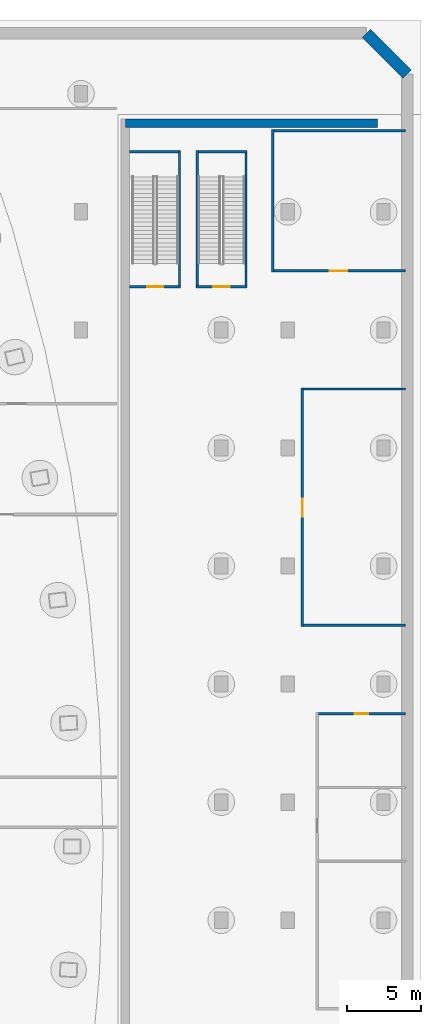
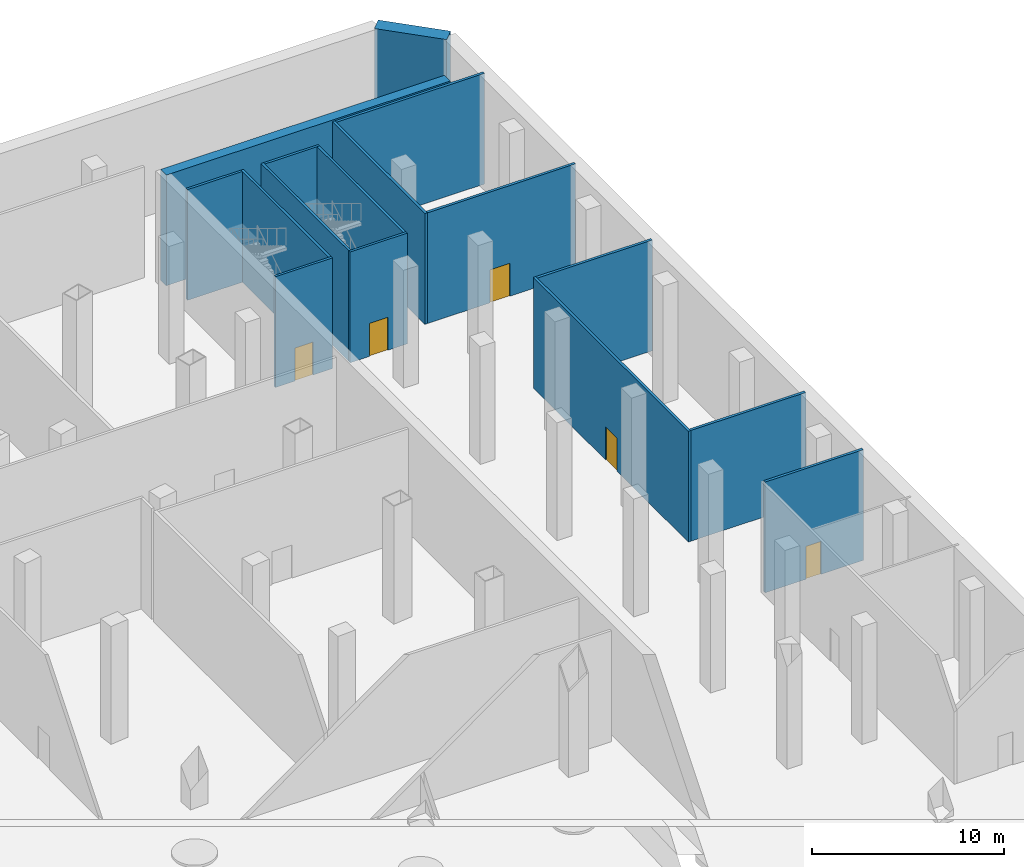
# One storey, part 13 of 19: 16 walls, 5 doors, 5 openings.
"""IFC4 building model written with IfcOpenShell, lengths in metres."""

import ifcopenshell
import ifcopenshell.guid

model = None  # the IFC model being written
_history = None  # IfcOwnerHistory: only IFC2X3 demands one
_inside = {}  # id of a spatial element -> (the spatial element, [elements in it])
_under = {}  # id of a project, library or spatial element -> (it, [spatial elements below it])
_declared = {}  # id of a project -> (the project, [libraries it declares])
_typed = {}  # id of a type object -> (the type object, [elements of that type])
_made_of = {}  # id of a material, layer set ... -> (it, [elements and type objects made of it])


def new_model(schema):
    """Start an empty IFC model of exactly this schema.

    Asked for "IFC4X3", IfcOpenShell would pick the latest addendum, in which some entities
    have other attributes; the version numbers below select the first issue.
    IFC2X3 requires an IfcOwnerHistory on every rooted entity: one is made here for all.
    """
    global model, _history
    if schema == "IFC4X3":
        model = ifcopenshell.file(schema_version=(4, 3, 0, 0))
    else:
        model = ifcopenshell.file(schema=schema)
    _inside.clear()
    _under.clear()
    _declared.clear()
    _typed.clear()
    _made_of.clear()
    _history = None
    if model.schema == "IFC2X3":
        org = make("IfcOrganization", Name="unknown")
        user = make(
            "IfcPersonAndOrganization",
            ThePerson=make("IfcPerson", FamilyName="unknown"),
            TheOrganization=org,
        )
        app = make(
            "IfcApplication",
            ApplicationDeveloper=org,
            Version="unknown",
            ApplicationFullName="unknown",
            ApplicationIdentifier="unknown",
        )
        _history = make(
            "IfcOwnerHistory",
            OwningUser=user,
            OwningApplication=app,
            ChangeAction="ADDED",
            CreationDate=0,
        )
    return model


def make(cls, **values):
    """One entity of the class cls with the attributes given. An attribute that is None is left unset."""
    return model.create_entity(
        cls, **{name: value for name, value in values.items() if value is not None}
    )


def rooted(cls, **values):
    """An entity with a GlobalId (a new one), such as an element, a storey or a relation."""
    return make(cls, GlobalId=ifcopenshell.guid.new(), OwnerHistory=_history, **values)


def si_unit(unit_type, name, prefix=None):
    """IfcSIUnit, for example si_unit("LENGTHUNIT", "METRE", prefix="MILLI")."""
    return make("IfcSIUnit", UnitType=unit_type, Prefix=prefix, Name=name)


def assignment(units):
    """IfcUnitAssignment: the units of a project."""
    return None if units is None else make("IfcUnitAssignment", Units=units)


def point(xyz):
    """IfcCartesianPoint."""
    return None if xyz is None else make("IfcCartesianPoint", Coordinates=xyz)


def direction(xyz):
    """IfcDirection."""
    return None if xyz is None else make("IfcDirection", DirectionRatios=xyz)


def frame(location, z_axis=None, x_axis=None):
    """IfcAxis2Placement3D, a coordinate frame: its origin and axes. An axis left out is left unset."""
    return make(
        "IfcAxis2Placement3D",
        Location=point(location),
        Axis=direction(z_axis),
        RefDirection=direction(x_axis),
    )


def frame_2d(location, x_axis=None):
    """IfcAxis2Placement2D, a coordinate frame in the plane: its origin and x axis."""
    return make(
        "IfcAxis2Placement2D", Location=point(location), RefDirection=direction(x_axis)
    )


def origin():
    """The frame at (0, 0, 0) with its axes left unset."""
    return frame((0.0, 0.0, 0.0))


def place(relative_to, where):
    """IfcLocalPlacement: puts the frame where relative to a parent placement (None: the world)."""
    return make(
        "IfcLocalPlacement", PlacementRelTo=relative_to, RelativePlacement=where
    )


def context(
    kind, dimensions, precision=None, world=None, true_north=None, identifier=None
):
    """IfcGeometricRepresentationContext, for example the 3D "Model" context."""
    return make(
        "IfcGeometricRepresentationContext",
        ContextIdentifier=identifier,
        ContextType=kind,
        CoordinateSpaceDimension=dimensions,
        Precision=precision,
        WorldCoordinateSystem=world,
        TrueNorth=true_north,
    )


def subcontext(parent, identifier, kind, view, scale=None):
    """IfcGeometricRepresentationSubContext, for example "Body" below "Model"."""
    return make(
        "IfcGeometricRepresentationSubContext",
        ContextIdentifier=identifier,
        ContextType=kind,
        ParentContext=parent,
        TargetScale=scale,
        TargetView=view,
    )


def project(units=None, contexts=None):
    """IfcProject with its units and contexts."""
    return rooted(
        "IfcProject",
        Name="project",
        RepresentationContexts=contexts,
        UnitsInContext=assignment(units),
    )


def spatial(cls, under=None, at=None, **own):
    """A site, building, storey or space (cls), placed at a placement, below another one or the project."""
    s = rooted(cls, ObjectPlacement=at, **own)
    if under is not None:
        _under.setdefault(under.id(), (under, []))[1].append(s)
    return s


def profile(cls, at=None, kind="AREA", **sizes):
    """A parametric profile (cls). Its sizes go by their IFC names, for example OverallWidth=200.0."""
    return make(cls, ProfileType=kind, Position=at, **sizes)


def rectangle(**sizes):
    """IfcRectangleProfileDef."""
    return profile("IfcRectangleProfileDef", **sizes)


def extrude(swept, where, along, depth):
    """IfcExtrudedAreaSolid: the profile swept, set in the frame where, extruded along a direction by depth."""
    return make(
        "IfcExtrudedAreaSolid",
        SweptArea=swept,
        Position=where,
        ExtrudedDirection=direction(along),
        Depth=depth,
    )


def shape(context_of_items, identifier, shape_type, items):
    """IfcShapeRepresentation: the items that make up one representation, for example the "Body"."""
    return make(
        "IfcShapeRepresentation",
        ContextOfItems=context_of_items,
        RepresentationIdentifier=identifier,
        RepresentationType=shape_type,
        Items=items,
    )


def material(Name=None, Category=None):
    """IfcMaterial."""
    return make("IfcMaterial", Name=Name, Category=Category)


def layer(
    of_material, thickness, ventilated=None, Name=None, Category=None, Priority=None
):
    """IfcMaterialLayer: one layer of a wall or slab, of a material (None: an air gap)."""
    return make(
        "IfcMaterialLayer",
        Material=of_material,
        LayerThickness=thickness,
        IsVentilated=ventilated,
        Name=Name,
        Category=Category,
        Priority=Priority,
    )


def layer_set(layers, Name=None):
    """IfcMaterialLayerSet."""
    return make("IfcMaterialLayerSet", MaterialLayers=layers, LayerSetName=Name)


def made_of(thing, what):
    """Note that an element or type object is made of a material, layer set ...; save() writes the relation."""
    if what is not None:
        _made_of.setdefault(what.id(), (what, []))[1].append(thing)
    return thing


def type_object(cls, material=None, **own):
    """A type object (cls), such as IfcWallType, which elements share."""
    return made_of(rooted(cls, **own), material)


def element(
    cls,
    number,
    at=None,
    inside=None,
    cuts=None,
    type_object=None,
    material=None,
    context=None,
    identifier="Body",
    shape_type=None,
    held_by="IfcProductDefinitionShape",
    body=None,
    shapes=None,
    **own,
):
    """One element of the class cls, such as IfcWall. Its Tag is "e" and its number.

    at: its placement. inside: the storey or other place that contains it. cuts: it is an
    opening in that element (IfcRelVoidsElement). A single representation is given by context,
    identifier, shape_type and body (its items); several are given by shapes. held_by: the class
    of the entity that holds the representations. save() writes the other relations.
    """
    e = rooted(cls, Tag="e%d" % number, ObjectPlacement=at, **own)
    if body is not None:
        shapes = [shape(context, identifier, shape_type, body)]
    if shapes is not None:
        e.Representation = make(held_by, Representations=shapes)
    if inside is not None:
        _inside.setdefault(inside.id(), (inside, []))[1].append(e)
    if cuts is not None:
        rooted(
            "IfcRelVoidsElement", RelatingBuildingElement=cuts, RelatedOpeningElement=e
        )
    if type_object is not None:
        _typed.setdefault(type_object.id(), (type_object, []))[1].append(e)
    return made_of(e, material)


def fill(opening, filler):
    """IfcRelFillsElement: the door or window that sits in an opening."""
    return rooted(
        "IfcRelFillsElement",
        RelatingOpeningElement=opening,
        RelatedBuildingElement=filler,
    )


def aggregate(whole, parts):
    """IfcRelAggregates: a whole, such as a stair, and the parts it consists of."""
    return rooted("IfcRelAggregates", RelatingObject=whole, RelatedObjects=parts)


def save(model, path):
    """Write the relations noted so far, then the file.

    IfcRelAggregates (storeys below a building ...), IfcRelContainedInSpatialStructure (elements
    in a storey), IfcRelDefinesByType, IfcRelAssociatesMaterial and IfcRelDeclares: one each for
    every whole, place, type object, material and project.
    """
    for whole, parts in _under.values():
        aggregate(whole, parts)
    for where, things in _inside.values():
        rooted(
            "IfcRelContainedInSpatialStructure",
            RelatedElements=things,
            RelatingStructure=where,
        )
    for kind, things in _typed.values():
        rooted("IfcRelDefinesByType", RelatedObjects=things, RelatingType=kind)
    for what, things in _made_of.values():
        rooted("IfcRelAssociatesMaterial", RelatedObjects=things, RelatingMaterial=what)
    for by, libraries in _declared.values():
        rooted("IfcRelDeclares", RelatingContext=by, RelatedDefinitions=libraries)
    model.write(path)


model = new_model("IFC4")

# Units and contexts
model_context = context("Model", 3, precision=1e-05, world=origin(), true_north=direction((0.0, 1.0)))
body_context = subcontext(model_context, "Body", "Model", "MODEL_VIEW")
ifc_project = project(units=[si_unit("LENGTHUNIT", "METRE"), si_unit("AREAUNIT", "SQUARE_METRE"), si_unit("VOLUMEUNIT", "CUBIC_METRE"), si_unit("PLANEANGLEUNIT", "RADIAN"), si_unit("MASSUNIT", "GRAM", prefix="KILO")], contexts=[model_context])

# Site, building, storey
site_placement = place(None, origin())
site = spatial("IfcSite", under=ifc_project, at=site_placement, CompositionType="ELEMENT")
building_placement = place(site_placement, origin())
building = spatial("IfcBuilding", under=site, at=building_placement, Name="Alderwake Tower", CompositionType="ELEMENT")
storey_placement = place(building_placement, frame((0.0, 0.0, -14.0)))
storey = spatial("IfcBuildingStorey", under=building, at=storey_placement, Name="B2", CompositionType="ELEMENT", Elevation=-14.0)

# Walls
ifc_material_1 = material(Name="Concrete C50/60", Category="concrete")
ifc_layer_1 = layer(ifc_material_1, 0.800048828125)
ifc_layer_set_1 = layer_set([ifc_layer_1], Name="Basement retaining wall 800")
wall_type_1 = type_object("IfcWallType", Name="Basement retaining wall 800", PredefinedType="SOLIDWALL", material=ifc_layer_set_1)
wall_1_placement = place(storey_placement, frame((83.334228515625, 116.10009765625, -0.300048828125), z_axis=(0.0, 0.0, 1.0), x_axis=(0.707106781187, -0.707106781187, 0.0)))
element("IfcWall", 1, at=wall_1_placement, inside=storey, type_object=wall_type_1, Name="Retaining wall 5", PredefinedType="SOLIDWALL", context=body_context, shape_type="SweptSolid", body=[
    extrude(rectangle(XDim=3.91162109375, YDim=0.800048828125, at=frame_2d((1.955810546875, 0.0))), origin(), (0.0, 0.0, 1.0), 7.35009765625),
])
ifc_material_2 = material(Name="Gypsum board on metal studs, rated")
ifc_layer_2 = layer(ifc_material_2, 0.159912109375)
ifc_layer_set_2 = layer_set([ifc_layer_2], Name="Corridor wall 160")
wall_type_2 = type_object("IfcWallType", Name="Corridor wall 160", PredefinedType="PARTITIONING", material=ifc_layer_set_2)
wall_2_placement = place(storey_placement, frame((77.0009765625, 99.9189453125, 0.0), z_axis=(0.0, 0.0, 1.0), x_axis=(0.0, 1.0, 0.0)))
element("IfcWall", 2, at=wall_2_placement, inside=storey, type_object=wall_type_2, Name="WL/B2/W61", PredefinedType="PARTITIONING", context=body_context, shape_type="SweptSolid", body=[
    extrude(rectangle(XDim=9.6611328125, YDim=0.159912109375, at=frame_2d((4.83056640625, 0.0))), origin(), (0.0, 0.0, 1.0), 7.050048828125),
])
wall_3_placement = place(storey_placement, frame((77.0810546875, 109.5, 0.0), z_axis=(0.0, 0.0, 1.0), x_axis=(1.0, 0.0, 0.0)))
element("IfcWall", 3, at=wall_3_placement, inside=storey, type_object=wall_type_2, Name="WL/B2/W62", PredefinedType="PARTITIONING", context=body_context, shape_type="SweptSolid", body=[
    extrude(rectangle(XDim=8.919921875, YDim=0.159912109375, at=frame_2d((4.4599609375, 0.0))), origin(), (0.0, 0.0, 1.0), 7.050048828125),
])

# Wall, opening, door
wall_4_placement = place(storey_placement, frame((78.9990234375, 75.9189453125, 0.0), z_axis=(0.0, 0.0, 1.0), x_axis=(0.0, 1.0, 0.0)))
wall_4 = element("IfcWall", 4, at=wall_4_placement, inside=storey, type_object=wall_type_2, Name="WL/B2/W65", PredefinedType="PARTITIONING", context=body_context, shape_type="SweptSolid", body=[
    extrude(rectangle(XDim=16.162109375, YDim=0.159912109375, at=frame_2d((8.0810546875, 0.0))), origin(), (0.0, 0.0, 1.0), 7.050048828125),
])
opening_1_placement = place(wall_4_placement, frame((7.430908203125, 0.0, 0.0)))
opening_1 = element("IfcOpeningElement", 5, at=opening_1_placement, cuts=wall_4, Name="Opening B2-13", PredefinedType="OPENING", context=body_context, shape_type="SweptSolid", body=[
    extrude(rectangle(XDim=1.199951171875, YDim=2.10009765625, at=frame_2d((0.60009765625, 1.050048828125))), frame((0.0, 0.08984375, 0.0), z_axis=(0.0, -1.0, 0.0), x_axis=(1.0, 0.0, 0.0)), (0.0, 0.0, 1.0), 0.179931640625),
])
ifc_material_3 = material(Name="Steel door leaf in steel frame", Category="steel")
door_type_1 = type_object("IfcDoorType", Name="Plant room door 1200 steel", OperationType="SINGLE_SWING_LEFT", PredefinedType="DOOR", material=ifc_material_3)
door_1_placement = place(opening_1_placement, origin())
door_1 = element("IfcDoor", 6, at=door_1_placement, inside=storey, type_object=door_type_1, Name="DR/B2/13", OperationType="SINGLE_SWING_LEFT", OverallHeight=2.10009765625, OverallWidth=1.199951171875, PredefinedType="DOOR", context=body_context, shape_type="SweptSolid", body=[
    extrude(rectangle(XDim=1.199951171875, YDim=2.10009765625, at=frame_2d((0.60009765625, 1.050048828125))), frame((0.0, 0.02490234375, 0.0), z_axis=(0.0, -1.0, 0.0), x_axis=(1.0, 0.0, 0.0)), (0.0, 0.0, 1.0), 0.050048828125),
])
fill(opening_1, door_1)

# Wall
wall_5_placement = place(storey_placement, frame((79.0791015625, 92.0009765625, 0.0), z_axis=(0.0, 0.0, 1.0), x_axis=(1.0, 0.0, 0.0)))
element("IfcWall", 7, at=wall_5_placement, inside=storey, type_object=wall_type_2, Name="WL/B2/W66", PredefinedType="PARTITIONING", context=body_context, shape_type="SweptSolid", body=[
    extrude(rectangle(XDim=6.921875, YDim=0.159912109375, at=frame_2d((3.4609375, 0.0))), origin(), (0.0, 0.0, 1.0), 7.050048828125),
])

# Wall, opening, door
wall_6_placement = place(storey_placement, frame((80.0810546875, 69.9990234375, 0.0), z_axis=(0.0, 0.0, 1.0), x_axis=(1.0, 0.0, 0.0)))
wall_6 = element("IfcWall", 8, at=wall_6_placement, inside=storey, type_object=wall_type_2, Name="WL/B2/W68", PredefinedType="PARTITIONING", context=body_context, shape_type="SweptSolid", body=[
    extrude(rectangle(XDim=5.919921875, YDim=0.159912109375, at=frame_2d((2.9599609375, 0.0))), origin(), (0.0, 0.0, 1.0), 7.050048828125),
])
opening_2_placement = place(wall_6_placement, frame((2.468994140625, 0.0, 0.0)))
opening_2 = element("IfcOpeningElement", 9, at=opening_2_placement, cuts=wall_6, Name="Opening B2-12", PredefinedType="OPENING", context=body_context, shape_type="SweptSolid", body=[
    extrude(rectangle(XDim=0.89990234375, YDim=2.10009765625, at=frame_2d((0.449951171875, 1.050048828125))), frame((0.0, 0.08984375, 0.0), z_axis=(0.0, -1.0, 0.0), x_axis=(1.0, 0.0, 0.0)), (0.0, 0.0, 1.0), 0.179931640625),
])
ifc_material_4 = material(Name="Painted timber leaf", Category="wood")
door_type_2 = type_object("IfcDoorType", Name="Room door 900", OperationType="SINGLE_SWING_LEFT", PredefinedType="DOOR", material=ifc_material_4)
door_2_placement = place(opening_2_placement, origin())
door_2 = element("IfcDoor", 10, at=door_2_placement, inside=storey, type_object=door_type_2, Name="DR/B2/12", OperationType="SINGLE_SWING_LEFT", OverallHeight=2.10009765625, OverallWidth=0.89990234375, PredefinedType="DOOR", context=body_context, shape_type="SweptSolid", body=[
    extrude(rectangle(XDim=0.89990234375, YDim=2.10009765625, at=frame_2d((0.449951171875, 1.050048828125))), frame((0.0, 0.02490234375, 0.0), z_axis=(0.0, -1.0, 0.0), x_axis=(1.0, 0.0, 0.0)), (0.0, 0.0, 1.0), 0.050048828125),
])
fill(opening_2, door_2)

# Wall
wall_7_placement = place(storey_placement, frame((86.0009765625, 75.9990234375, 0.0), z_axis=(0.0, 0.0, 1.0), x_axis=(-1.0, 0.0, 0.0)))
element("IfcWall", 11, at=wall_7_placement, inside=storey, type_object=wall_type_2, Name="WL/B2/W73", PredefinedType="PARTITIONING", context=body_context, shape_type="SweptSolid", body=[
    extrude(rectangle(XDim=6.921875, YDim=0.159912109375, at=frame_2d((3.4609375, 0.0))), origin(), (0.0, 0.0, 1.0), 7.050048828125),
])

# Wall, opening, door
wall_8_placement = place(storey_placement, frame((86.0009765625, 99.9990234375, 0.0), z_axis=(0.0, 0.0, 1.0), x_axis=(-1.0, 0.0, 0.0)))
wall_8 = element("IfcWall", 12, at=wall_8_placement, inside=storey, type_object=wall_type_2, Name="WL/B2/W74", PredefinedType="PARTITIONING", context=body_context, shape_type="SweptSolid", body=[
    extrude(rectangle(XDim=8.919921875, YDim=0.159912109375, at=frame_2d((4.4599609375, 0.0))), origin(), (0.0, 0.0, 1.0), 7.050048828125),
])
opening_3_placement = place(wall_8_placement, frame((3.950927734375, 0.0, 0.0)))
opening_3 = element("IfcOpeningElement", 13, at=opening_3_placement, cuts=wall_8, Name="Opening B2-09", PredefinedType="OPENING", context=body_context, shape_type="SweptSolid", body=[
    extrude(rectangle(XDim=1.199951171875, YDim=2.10009765625, at=frame_2d((0.60009765625, 1.050048828125))), frame((0.0, 0.08984375, 0.0), z_axis=(0.0, -1.0, 0.0), x_axis=(1.0, 0.0, 0.0)), (0.0, 0.0, 1.0), 0.179931640625),
])
door_3_placement = place(opening_3_placement, origin())
door_3 = element("IfcDoor", 14, at=door_3_placement, inside=storey, type_object=door_type_1, Name="DR/B2/09", OperationType="SINGLE_SWING_LEFT", OverallHeight=2.10009765625, OverallWidth=1.199951171875, PredefinedType="DOOR", context=body_context, shape_type="SweptSolid", body=[
    extrude(rectangle(XDim=1.199951171875, YDim=2.10009765625, at=frame_2d((0.60009765625, 1.050048828125))), frame((0.0, 0.02490234375, 0.0), z_axis=(0.0, -1.0, 0.0), x_axis=(1.0, 0.0, 0.0)), (0.0, 0.0, 1.0), 0.050048828125),
])
fill(opening_3, door_3)

ifc_material_5 = material(Name="Gypsum shaft wall system, rated")
ifc_layer_3 = layer(ifc_material_5, 0.14990234375)
ifc_layer_set_3 = layer_set([ifc_layer_3], Name="Riser and shaft wall 150")
wall_type_3 = type_object("IfcWallType", Name="Riser and shaft wall 150", PredefinedType="PARTITIONING", material=ifc_layer_set_3)
wall_9_placement = place(storey_placement, frame((70.7490234375, 98.925048828125, 0.0), z_axis=(0.0, 0.0, 1.0), x_axis=(-1.0, 0.0, 0.0)))
wall_9 = element("IfcWall", 15, at=wall_9_placement, inside=storey, type_object=wall_type_3, Name="WL/B2/W12", PredefinedType="PARTITIONING", context=body_context, shape_type="SweptSolid", body=[
    extrude(rectangle(XDim=3.448974609375, YDim=0.14990234375, at=frame_2d((1.724609375, 0.0))), origin(), (0.0, 0.0, 1.0), 7.050048828125),
])
opening_4_placement = place(wall_9_placement, frame((1.174072265625, 0.0, 0.0)))
opening_4 = element("IfcOpeningElement", 16, at=opening_4_placement, cuts=wall_9, Name="Opening B2-03", PredefinedType="OPENING", context=body_context, shape_type="SweptSolid", body=[
    extrude(rectangle(XDim=1.10009765625, YDim=2.10009765625, at=frame_2d((0.550048828125, 1.050048828125))), frame((0.0, 0.0849609375, 0.0), z_axis=(0.0, -1.0, 0.0), x_axis=(1.0, 0.0, 0.0)), (0.0, 0.0, 1.0), 0.169921875),
])
ifc_material_6 = material(Name="Steel-framed fire door leaf", Category="steel")
door_type_3 = type_object("IfcDoorType", Name="Stair door 1100 fire-rated", OperationType="SINGLE_SWING_LEFT", PredefinedType="DOOR", material=ifc_material_6)
door_4_placement = place(opening_4_placement, origin())
door_4 = element("IfcDoor", 17, at=door_4_placement, inside=storey, type_object=door_type_3, Name="DR/B2/03", OperationType="SINGLE_SWING_LEFT", OverallHeight=2.10009765625, OverallWidth=1.10009765625, PredefinedType="DOOR", context=body_context, shape_type="SweptSolid", body=[
    extrude(rectangle(XDim=1.10009765625, YDim=2.10009765625, at=frame_2d((0.550048828125, 1.050048828125))), frame((0.0, 0.02490234375, 0.0), z_axis=(0.0, -1.0, 0.0), x_axis=(1.0, 0.0, 0.0)), (0.0, 0.0, 1.0), 0.050048828125),
])
fill(opening_4, door_4)

wall_10_placement = place(storey_placement, frame((75.2490234375, 98.925048828125, 0.0), z_axis=(0.0, 0.0, 1.0), x_axis=(-1.0, 0.0, 0.0)))
wall_10 = element("IfcWall", 18, at=wall_10_placement, inside=storey, type_object=wall_type_3, Name="WL/B2/W17", PredefinedType="PARTITIONING", context=body_context, shape_type="SweptSolid", body=[
    extrude(rectangle(XDim=3.449951171875, YDim=0.14990234375, at=frame_2d((1.72509765625, 0.0))), origin(), (0.0, 0.0, 1.0), 7.050048828125),
])
opening_5_placement = place(wall_10_placement, frame((1.174072265625, 0.0, 0.0)))
opening_5 = element("IfcOpeningElement", 19, at=opening_5_placement, cuts=wall_10, Name="Opening B2-04", PredefinedType="OPENING", context=body_context, shape_type="SweptSolid", body=[
    extrude(rectangle(XDim=1.10009765625, YDim=2.10009765625, at=frame_2d((0.550048828125, 1.050048828125))), frame((0.0, 0.0849609375, 0.0), z_axis=(0.0, -1.0, 0.0), x_axis=(1.0, 0.0, 0.0)), (0.0, 0.0, 1.0), 0.169921875),
])
door_5_placement = place(opening_5_placement, origin())
door_5 = element("IfcDoor", 20, at=door_5_placement, inside=storey, type_object=door_type_3, Name="DR/B2/04", OperationType="SINGLE_SWING_LEFT", OverallHeight=2.10009765625, OverallWidth=1.10009765625, PredefinedType="DOOR", context=body_context, shape_type="SweptSolid", body=[
    extrude(rectangle(XDim=1.10009765625, YDim=2.10009765625, at=frame_2d((0.550048828125, 1.050048828125))), frame((0.0, 0.02490234375, 0.0), z_axis=(0.0, -1.0, 0.0), x_axis=(1.0, 0.0, 0.0)), (0.0, 0.0, 1.0), 0.050048828125),
])
fill(opening_5, door_5)

# Walls
ifc_material_7 = material(Name="Concrete C40/50", Category="concrete")
ifc_layer_4 = layer(ifc_material_7, 0.14990234375)
ifc_layer_set_4 = layer_set([ifc_layer_4], Name="Stair shaft wall 150 C40/50")
wall_type_4 = type_object("IfcWallType", Name="Stair shaft wall 150 C40/50", PredefinedType="SHEAR", material=ifc_layer_set_4)
wall_11_placement = place(storey_placement, frame((70.674072265625, 99.0, 0.0), z_axis=(0.0, 0.0, 1.0), x_axis=(0.0, 1.0, 0.0)))
element("IfcWall", 21, at=wall_11_placement, inside=storey, type_object=wall_type_4, Name="WL/B2/W15", PredefinedType="SHEAR", context=body_context, shape_type="SweptSolid", body=[
    extrude(rectangle(XDim=9.14990234375, YDim=0.14990234375, at=frame_2d((4.574951171875, 0.0))), origin(), (0.0, 0.0, 1.0), 7.050048828125),
])
wall_12_placement = place(storey_placement, frame((70.59912109375, 108.074951171875, 0.0), z_axis=(0.0, 0.0, 1.0), x_axis=(-1.0, 0.0, 0.0)))
element("IfcWall", 22, at=wall_12_placement, inside=storey, type_object=wall_type_4, Name="WL/B2/W16", PredefinedType="SHEAR", context=body_context, shape_type="SweptSolid", body=[
    extrude(rectangle(XDim=3.299072265625, YDim=0.14990234375, at=frame_2d((1.6494140625, 0.0))), origin(), (0.0, 0.0, 1.0), 7.050048828125),
])
wall_13_placement = place(storey_placement, frame((71.8740234375, 108.14990234375, 0.0), z_axis=(0.0, 0.0, 1.0), x_axis=(0.0, -1.0, 0.0)))
element("IfcWall", 23, at=wall_13_placement, inside=storey, type_object=wall_type_4, Name="WL/B2/W18", PredefinedType="SHEAR", context=body_context, shape_type="SweptSolid", body=[
    extrude(rectangle(XDim=9.14990234375, YDim=0.14990234375, at=frame_2d((4.574951171875, 0.0))), origin(), (0.0, 0.0, 1.0), 7.050048828125),
])
wall_14_placement = place(storey_placement, frame((75.2490234375, 108.074951171875, 0.0), z_axis=(0.0, 0.0, 1.0), x_axis=(-1.0, 0.0, 0.0)))
element("IfcWall", 24, at=wall_14_placement, inside=storey, type_object=wall_type_4, Name="WL/B2/W19", PredefinedType="SHEAR", context=body_context, shape_type="SweptSolid", body=[
    extrude(rectangle(XDim=3.300048828125, YDim=0.14990234375, at=frame_2d((1.64990234375, 0.0))), origin(), (0.0, 0.0, 1.0), 7.050048828125),
])
wall_15_placement = place(storey_placement, frame((75.174072265625, 108.0, 0.0), z_axis=(0.0, 0.0, 1.0), x_axis=(0.0, -1.0, 0.0)))
element("IfcWall", 25, at=wall_15_placement, inside=storey, type_object=wall_type_4, Name="WL/B2/W20", PredefinedType="SHEAR", context=body_context, shape_type="SweptSolid", body=[
    extrude(rectangle(XDim=9.0, YDim=0.14990234375, at=frame_2d((4.5, 0.0))), origin(), (0.0, 0.0, 1.0), 7.050048828125),
])
ifc_material_8 = material(Name="Concrete C70/85", Category="concrete")
ifc_layer_5 = layer(ifc_material_8, 0.60009765625)
ifc_layer_set_5 = layer_set([ifc_layer_5], Name="Station box wall 600")
wall_type_5 = type_object("IfcWallType", Name="Station box wall 600", PredefinedType="SHEAR", material=ifc_layer_set_5)
wall_16_placement = place(storey_placement, frame((67.0, 110.0, 0.0), z_axis=(0.0, 0.0, 1.0), x_axis=(1.0, 0.0, 0.0)))
element("IfcWall", 26, at=wall_16_placement, inside=storey, type_object=wall_type_5, Name="Station box wall N", PredefinedType="SHEAR", context=body_context, shape_type="SweptSolid", body=[
    extrude(rectangle(XDim=17.10009765625, YDim=0.60009765625, at=frame_2d((8.550048828125, 0.0))), origin(), (0.0, 0.0, 1.0), 7.050048828125),
])

save(model, "model.ifc")
